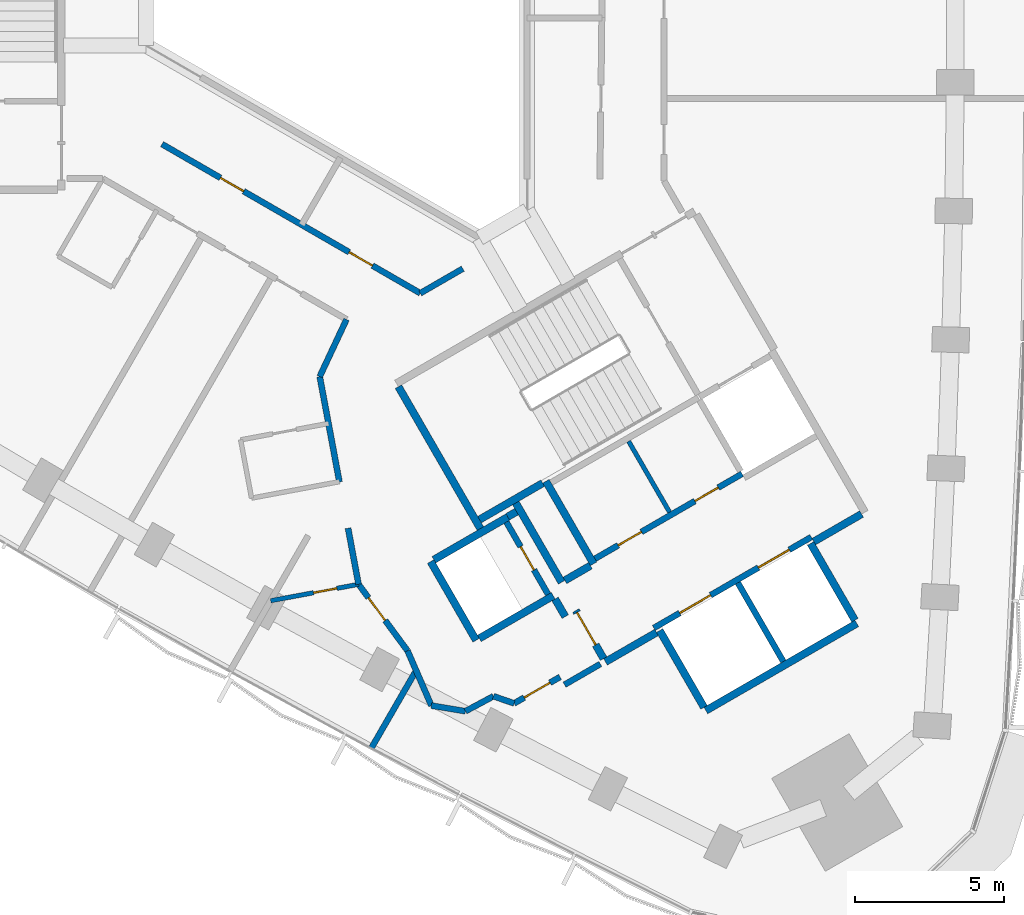
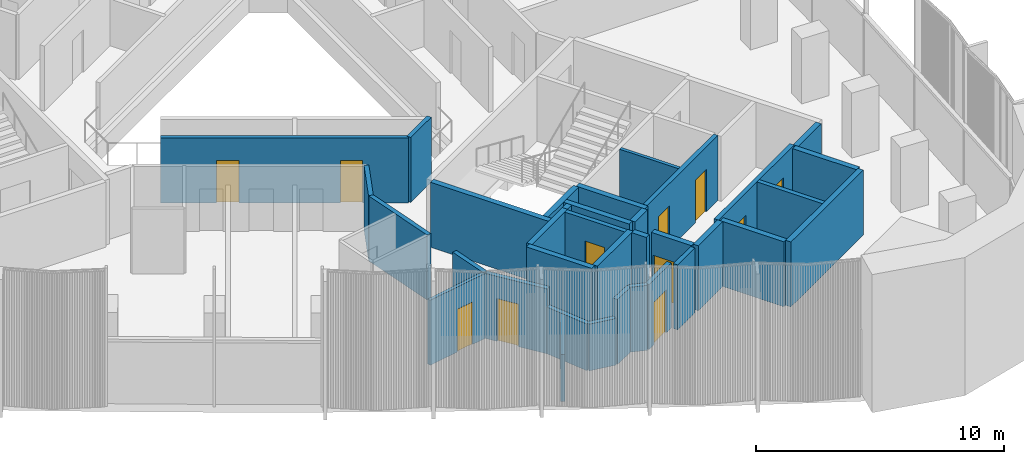
# One storey, part 8 of 14: 35 walls, 11 doors, 11 openings.
"""IFC4 building model written with IfcOpenShell, lengths in metres."""

from ifc_helpers import new_model, si_unit, direction, frame, frame_2d, origin, place, context, subcontext, project, spatial, rectangle, extrude, material, layer, layer_set, type_object, element, fill, save


model = new_model("IFC4")

# Units and contexts
model_context = context("Model", 3, precision=1e-05, world=origin(), true_north=direction((0.0, 1.0)))
body_context = subcontext(model_context, "Body", "Model", "MODEL_VIEW")
ifc_project = project(units=[si_unit("LENGTHUNIT", "METRE"), si_unit("AREAUNIT", "SQUARE_METRE"), si_unit("VOLUMEUNIT", "CUBIC_METRE"), si_unit("PLANEANGLEUNIT", "RADIAN"), si_unit("MASSUNIT", "GRAM", prefix="KILO")], contexts=[model_context])

# Site, building, storey
site_placement = place(None, origin())
site = spatial("IfcSite", under=ifc_project, at=site_placement, CompositionType="ELEMENT")
building_placement = place(site_placement, origin())
building = spatial("IfcBuilding", under=site, at=building_placement, Name="Tamra Quay Hotel Tower", CompositionType="ELEMENT")
storey_placement = place(building_placement, frame((0.0, 0.0, 139.60009765625)))
storey = spatial("IfcBuildingStorey", under=building, at=storey_placement, Name="L34", CompositionType="ELEMENT", Elevation=139.60009765625)

# Wall, openings, doors
ifc_material_1 = material(Name="Concrete M70", Category="concrete")
ifc_layer_1 = layer(ifc_material_1, 0.199951171875)
ifc_layer_set_1 = layer_set([ifc_layer_1], Name="Concrete M70 core wall 200")
wall_type_1 = type_object("IfcWallType", Name="Concrete M70 core wall 200", PredefinedType="SHEAR", material=ifc_layer_set_1)
wall_1_placement = place(storey_placement, frame((9.052490234375, -20.479736328125, 0.0), z_axis=(0.0, 0.0, 1.0), x_axis=(0.866030299012, 0.499991521122, 0.0)))
wall_1 = element("IfcWall", 1, at=wall_1_placement, inside=storey, type_object=wall_type_1, Name="CW2", PredefinedType="SHEAR", context=body_context, shape_type="SweptSolid", body=[
    extrude(rectangle(XDim=6.10009765625, YDim=0.199951171875, at=frame_2d((3.050048828125, 0.0))), origin(), (0.0, 0.0, 1.0), 3.199951171875),
])
opening_1_placement = place(wall_1_placement, frame((1.0, 0.0, 0.0)))
opening_1 = element("IfcOpeningElement", 2, at=opening_1_placement, cuts=wall_1, Name="Opening LD", PredefinedType="OPENING", context=body_context, shape_type="SweptSolid", body=[
    extrude(rectangle(XDim=1.199951171875, YDim=2.10009765625, at=frame_2d((0.60009765625, 1.050048828125))), frame((0.0, 0.10986328125, 0.0), z_axis=(0.0, -1.0, 0.0), x_axis=(1.0, 0.0, 0.0)), (0.0, 0.0, 1.0), 0.219970703125),
])
opening_2_placement = place(wall_1_placement, frame((4.05029296875, 0.0, 0.0)))
opening_2 = element("IfcOpeningElement", 3, at=opening_2_placement, cuts=wall_1, Name="Opening LD", PredefinedType="OPENING", context=body_context, shape_type="SweptSolid", body=[
    extrude(rectangle(XDim=1.199951171875, YDim=2.10009765625, at=frame_2d((0.60009765625, 1.050048828125))), frame((0.0, 0.10986328125, 0.0), z_axis=(0.0, -1.0, 0.0), x_axis=(1.0, 0.0, 0.0)), (0.0, 0.0, 1.0), 0.219970703125),
])
ifc_material_2 = material(Name="Landing door LD 1200 double door sliding")
door_type_1 = type_object("IfcDoorType", Name="Landing door LD 1200 double door sliding", OperationType="DOUBLE_DOOR_SLIDING", PredefinedType="DOOR", material=ifc_material_2)
door_1_placement = place(opening_1_placement, origin())
door_1 = element("IfcDoor", 4, at=door_1_placement, inside=storey, type_object=door_type_1, Name="LD", OperationType="DOUBLE_DOOR_SLIDING", OverallHeight=2.10009765625, OverallWidth=1.199951171875, PredefinedType="DOOR", context=body_context, shape_type="SweptSolid", body=[
    extrude(rectangle(XDim=1.199951171875, YDim=2.10009765625, at=frame_2d((0.60009765625, 1.050048828125))), frame((0.0, 0.02490234375, 0.0), z_axis=(0.0, -1.0, 0.0), x_axis=(1.0, 0.0, 0.0)), (0.0, 0.0, 1.0), 0.050048828125),
])
fill(opening_1, door_1)
door_2_placement = place(opening_2_placement, origin())
door_2 = element("IfcDoor", 5, at=door_2_placement, inside=storey, type_object=door_type_1, Name="LD", OperationType="DOUBLE_DOOR_SLIDING", OverallHeight=2.10009765625, OverallWidth=1.199951171875, PredefinedType="DOOR", context=body_context, shape_type="SweptSolid", body=[
    extrude(rectangle(XDim=1.199951171875, YDim=2.10009765625, at=frame_2d((0.60009765625, 1.050048828125))), frame((0.0, 0.02490234375, 0.0), z_axis=(0.0, -1.0, 0.0), x_axis=(1.0, 0.0, 0.0)), (0.0, 0.0, 1.0), 0.050048828125),
])
fill(opening_2, door_2)

wall_2_placement = place(storey_placement, frame((7.0771484375, -18.156005859375, 0.0), z_axis=(0.0, 0.0, 1.0), x_axis=(0.866038630372, 0.499977090179, 0.0)))
wall_2 = element("IfcWall", 6, at=wall_2_placement, inside=storey, type_object=wall_type_1, Name="CW2", PredefinedType="SHEAR", context=body_context, shape_type="SweptSolid", body=[
    extrude(rectangle(XDim=5.698974609375, YDim=0.199951171875, at=frame_2d((2.849609375, 0.0))), origin(), (0.0, 0.0, 1.0), 3.199951171875),
])
opening_3_placement = place(wall_2_placement, frame((0.89892578125, 0.0, 0.0)))
opening_3 = element("IfcOpeningElement", 7, at=opening_3_placement, cuts=wall_2, Name="Opening D2", PredefinedType="OPENING", context=body_context, shape_type="SweptSolid", body=[
    extrude(rectangle(XDim=0.89990234375, YDim=2.10009765625, at=frame_2d((0.449951171875, 1.050048828125))), frame((0.0, 0.10986328125, 0.0), z_axis=(0.0, -1.0, 0.0), x_axis=(1.0, 0.0, 0.0)), (0.0, 0.0, 1.0), 0.219970703125),
])
opening_4_placement = place(wall_2_placement, frame((3.8740234375, 0.0, 0.0)))
opening_4 = element("IfcOpeningElement", 8, at=opening_4_placement, cuts=wall_2, Name="Opening D2", PredefinedType="OPENING", context=body_context, shape_type="SweptSolid", body=[
    extrude(rectangle(XDim=0.89990234375, YDim=2.10009765625, at=frame_2d((0.449951171875, 1.050048828125))), frame((0.0, 0.10986328125, 0.0), z_axis=(0.0, -1.0, 0.0), x_axis=(1.0, 0.0, 0.0)), (0.0, 0.0, 1.0), 0.219970703125),
])
ifc_material_3 = material(Name="Core door D2 900x2100 LH")
door_type_2 = type_object("IfcDoorType", Name="Core door D2 900x2100 LH", OperationType="NOTDEFINED", PredefinedType="DOOR", material=ifc_material_3)
door_3_placement = place(opening_4_placement, origin())
door_3 = element("IfcDoor", 9, at=door_3_placement, inside=storey, type_object=door_type_2, Name="D2", OperationType="SINGLE_SWING_LEFT", OverallHeight=2.10009765625, OverallWidth=0.89990234375, PredefinedType="DOOR", context=body_context, shape_type="SweptSolid", body=[
    extrude(rectangle(XDim=0.89990234375, YDim=2.10009765625, at=frame_2d((0.449951171875, 1.050048828125))), frame((0.0, 0.02490234375, 0.0), z_axis=(0.0, -1.0, 0.0), x_axis=(1.0, 0.0, 0.0)), (0.0, 0.0, 1.0), 0.050048828125),
])
fill(opening_4, door_3)
ifc_material_4 = material(Name="Core door D2 900x2100 RH")
door_type_3 = type_object("IfcDoorType", Name="Core door D2 900x2100 RH", OperationType="NOTDEFINED", PredefinedType="DOOR", material=ifc_material_4)
door_4_placement = place(opening_3_placement, origin())
door_4 = element("IfcDoor", 10, at=door_4_placement, inside=storey, type_object=door_type_3, Name="D2", OperationType="SINGLE_SWING_RIGHT", OverallHeight=2.10009765625, OverallWidth=0.89990234375, PredefinedType="DOOR", context=body_context, shape_type="SweptSolid", body=[
    extrude(rectangle(XDim=0.89990234375, YDim=2.10009765625, at=frame_2d((0.449951171875, 1.050048828125))), frame((0.0, 0.02490234375, 0.0), z_axis=(0.0, -1.0, 0.0), x_axis=(1.0, 0.0, 0.0)), (0.0, 0.0, 1.0), 0.050048828125),
])
fill(opening_3, door_4)

# Wall
wall_3_placement = place(storey_placement, frame((11.87451171875, -18.967041015625, 0.0), z_axis=(0.0, 0.0, 1.0), x_axis=(0.49998131003, -0.866036194175, 0.0)))
element("IfcWall", 11, at=wall_3_placement, inside=storey, type_object=wall_type_1, Name="CW2", PredefinedType="SHEAR", context=body_context, shape_type="SweptSolid", body=[
    extrude(rectangle(XDim=3.0478515625, YDim=0.199951171875, at=frame_2d((1.52392578125, 0.0))), origin(), (0.0, 0.0, 1.0), 3.199951171875),
])

# Wall, opening, door
wall_4_placement = place(storey_placement, frame((5.50341796875, -19.352294921875, 0.0), z_axis=(0.0, 0.0, 1.0), x_axis=(-0.499986818241, 0.866033014143, 0.0)))
wall_4 = element("IfcWall", 12, at=wall_4_placement, inside=storey, type_object=wall_type_1, Name="CW2", PredefinedType="SHEAR", context=body_context, shape_type="SweptSolid", body=[
    extrude(rectangle(XDim=2.7978515625, YDim=0.199951171875, at=frame_2d((1.39892578125, 0.0))), origin(), (0.0, 0.0, 1.0), 3.199951171875),
])
opening_5_placement = place(wall_4_placement, frame((0.948974609375, 0.0, 0.0)))
opening_5 = element("IfcOpeningElement", 13, at=opening_5_placement, cuts=wall_4, Name="Opening D1", PredefinedType="OPENING", context=body_context, shape_type="SweptSolid", body=[
    extrude(rectangle(XDim=0.89990234375, YDim=2.10009765625, at=frame_2d((0.449951171875, 1.050048828125))), frame((0.0, 0.10986328125, 0.0), z_axis=(0.0, -1.0, 0.0), x_axis=(1.0, 0.0, 0.0)), (0.0, 0.0, 1.0), 0.219970703125),
])
ifc_material_5 = material(Name="Core door D1 900x2100 RH")
door_type_4 = type_object("IfcDoorType", Name="Core door D1 900x2100 RH", OperationType="NOTDEFINED", PredefinedType="DOOR", material=ifc_material_5)
door_5_placement = place(opening_5_placement, origin())
door_5 = element("IfcDoor", 14, at=door_5_placement, inside=storey, type_object=door_type_4, Name="D1", OperationType="SINGLE_SWING_RIGHT", OverallHeight=2.10009765625, OverallWidth=0.89990234375, PredefinedType="DOOR", context=body_context, shape_type="SweptSolid", body=[
    extrude(rectangle(XDim=0.89990234375, YDim=2.10009765625, at=frame_2d((0.449951171875, 1.050048828125))), frame((0.0, 0.02490234375, 0.0), z_axis=(0.0, -1.0, 0.0), x_axis=(1.0, 0.0, 0.0)), (0.0, 0.0, 1.0), 0.050048828125),
])
fill(opening_5, door_5)

# Walls
ifc_layer_2 = layer(ifc_material_1, 0.25)
ifc_layer_set_2 = layer_set([ifc_layer_2], Name="Concrete M70 core wall 250")
wall_type_2 = type_object("IfcWallType", Name="Concrete M70 core wall 250", PredefinedType="SHEAR", material=ifc_layer_set_2)
wall_5_placement = place(storey_placement, frame((15.86474609375, -20.328369140625, 0.0), z_axis=(0.0, 0.0, 1.0), x_axis=(-0.86602852612, -0.499994591916, 0.0)))
element("IfcWall", 15, at=wall_5_placement, inside=storey, type_object=wall_type_2, Name="CW1", PredefinedType="SHEAR", context=body_context, shape_type="SweptSolid", body=[
    extrude(rectangle(XDim=5.85009765625, YDim=0.25, at=frame_2d((2.925048828125, 0.0))), origin(), (0.0, 0.0, 1.0), 3.199951171875),
])
wall_6_placement = place(storey_placement, frame((3.23486328125, -17.15283203125, 0.0), z_axis=(0.0, 0.0, 1.0), x_axis=(-0.500008851346, 0.866020293397, 0.0)))
element("IfcWall", 16, at=wall_6_placement, inside=storey, type_object=wall_type_2, Name="CW1", PredefinedType="SHEAR", context=body_context, shape_type="SweptSolid", body=[
    extrude(rectangle(XDim=5.509765625, YDim=0.25, at=frame_2d((2.7548828125, 0.0))), origin(), (0.0, 0.0, 1.0), 3.199951171875),
])
wall_7_placement = place(storey_placement, frame((7.030517578125, -18.327392578125, 0.0), z_axis=(0.0, 0.0, 1.0), x_axis=(-0.499971222258, 0.866042017984, 0.0)))
element("IfcWall", 17, at=wall_7_placement, inside=storey, type_object=wall_type_2, Name="CW1", PredefinedType="SHEAR", context=body_context, shape_type="SweptSolid", body=[
    extrude(rectangle(XDim=3.199951171875, YDim=0.25, at=frame_2d((1.60009765625, 0.0))), origin(), (0.0, 0.0, 1.0), 3.199951171875),
])
for number, where, z_axis, x_axis, name in (
    (18, (14.314697265625, -17.643798828125, 0.0), (0.0, 0.0, 1.0), (0.500023226632, -0.866011993467, 0.0), "CW1"),
    (19, (10.73583984375, -23.144775390625, 0.0), (0.0, 0.0, 1.0), (-0.500023226632, 0.866011993467, 0.0), "CW1"),
):
    element("IfcWall", number, at=place(storey_placement, frame(where, z_axis=z_axis, x_axis=x_axis)), inside=storey, type_object=wall_type_2, Name=name, PredefinedType="SHEAR", context=body_context, shape_type="SweptSolid", body=[
        extrude(rectangle(XDim=2.974365234375, YDim=0.25, at=frame_2d((1.4873046875, 0.0))), origin(), (0.0, 0.0, 1.0), 3.199951171875),
    ])
wall_8_placement = place(storey_placement, frame((3.085205078125, -20.893798828125, 0.0), z_axis=(0.0, 0.0, 1.0), x_axis=(-0.499978833458, 0.866037623948, 0.0)))
element("IfcWall", 20, at=wall_8_placement, inside=storey, type_object=wall_type_2, Name="CW1", PredefinedType="SHEAR", context=body_context, shape_type="SweptSolid", body=[
    extrude(rectangle(XDim=3.050048828125, YDim=0.25, at=frame_2d((1.52490234375, 0.0))), origin(), (0.0, 0.0, 1.0), 3.199951171875),
])
wall_9_placement = place(storey_placement, frame((1.6689453125, -18.189697265625, 0.0), z_axis=(0.0, 0.0, 1.0), x_axis=(0.866042235819, 0.499970844928, 0.0)))
element("IfcWall", 21, at=wall_9_placement, inside=storey, type_object=wall_type_2, Name="CW1", PredefinedType="SHEAR", context=body_context, shape_type="SweptSolid", body=[
    extrude(rectangle(XDim=2.864501953125, YDim=0.25, at=frame_2d((1.43212890625, 0.0))), origin(), (0.0, 0.0, 1.0), 3.199951171875),
])
wall_10_placement = place(storey_placement, frame((5.6748046875, -19.39892578125, 0.0), z_axis=(0.0, 0.0, 1.0), x_axis=(-0.866026637627, -0.499997862916, 0.0)))
element("IfcWall", 22, at=wall_10_placement, inside=storey, type_object=wall_type_2, Name="CW1", PredefinedType="SHEAR", context=body_context, shape_type="SweptSolid", body=[
    extrude(rectangle(XDim=2.86474609375, YDim=0.25, at=frame_2d((1.432373046875, 0.0))), origin(), (0.0, 0.0, 1.0), 3.199951171875),
])
wall_11_placement = place(storey_placement, frame((4.414306640625, -16.275634765625, 0.0), z_axis=(0.0, 0.0, 1.0), x_axis=(0.500003324108, -0.866023484601, 0.0)))
element("IfcWall", 23, at=wall_11_placement, inside=storey, type_object=wall_type_2, Name="CW1", PredefinedType="SHEAR", context=body_context, shape_type="SweptSolid", body=[
    extrude(rectangle(XDim=3.0849609375, YDim=0.25, at=frame_2d((1.54248046875, 0.0))), origin(), (0.0, 0.0, 1.0), 3.199951171875),
])
wall_12_placement = place(storey_placement, frame((5.322021484375, -15.618896484375, 0.0), z_axis=(0.0, 0.0, 1.0), x_axis=(-0.866026229868, -0.499998569178, 0.0)))
element("IfcWall", 24, at=wall_12_placement, inside=storey, type_object=wall_type_2, Name="CW1", PredefinedType="SHEAR", context=body_context, shape_type="SweptSolid", body=[
    extrude(rectangle(XDim=2.44921875, YDim=0.25, at=frame_2d((1.224609375, 0.0))), origin(), (0.0, 0.0, 1.0), 3.199951171875),
])
wall_13_placement = place(storey_placement, frame((9.139892578125, -20.63134765625, 0.0), z_axis=(0.0, 0.0, 1.0), x_axis=(-0.866043531843, -0.499968599967, 0.0)))
element("IfcWall", 25, at=wall_13_placement, inside=storey, type_object=wall_type_2, Name="CW1", PredefinedType="SHEAR", context=body_context, shape_type="SweptSolid", body=[
    extrude(rectangle(XDim=1.974853515625, YDim=0.25, at=frame_2d((0.9873046875, 0.0))), origin(), (0.0, 0.0, 1.0), 3.199951171875),
])
wall_14_placement = place(storey_placement, frame((16.024658203125, -16.656494140625, 0.0), z_axis=(0.0, 0.0, 1.0), x_axis=(-0.866016279763, -0.500015802937, 0.0)))
element("IfcWall", 26, at=wall_14_placement, inside=storey, type_object=wall_type_2, Name="CW1", PredefinedType="SHEAR", context=body_context, shape_type="SweptSolid", body=[
    extrude(rectangle(XDim=1.84912109375, YDim=0.25, at=frame_2d((0.924560546875, 0.0))), origin(), (0.0, 0.0, 1.0), 3.199951171875),
])

# Wall, opening, door
wall_15_placement = place(storey_placement, frame((7.3671875, -21.51025390625, 0.0), z_axis=(0.0, 0.0, 1.0), x_axis=(-0.499983108224, 0.866035156036, 0.0)))
wall_15 = element("IfcWall", 27, at=wall_15_placement, inside=storey, type_object=wall_type_2, Name="CW1", PredefinedType="SHEAR", context=body_context, shape_type="SweptSolid", body=[
    extrude(rectangle(XDim=1.86474609375, YDim=0.25, at=frame_2d((0.932373046875, 0.0))), origin(), (0.0, 0.0, 1.0), 3.199951171875),
])
opening_6_placement = place(wall_15_placement, frame((0.53466796875, 0.0, 0.0)))
opening_6 = element("IfcOpeningElement", 28, at=opening_6_placement, cuts=wall_15, Name="Opening FD3", PredefinedType="OPENING", context=body_context, shape_type="SweptSolid", body=[
    extrude(rectangle(XDim=1.25, YDim=2.10009765625, at=frame_2d((0.625, 1.050048828125))), frame((0.0, 0.135009765625, 0.0), z_axis=(0.0, -1.0, 0.0), x_axis=(1.0, 0.0, 0.0)), (0.0, 0.0, 1.0), 0.27001953125),
])
ifc_material_6 = material(Name="Core door FD3 1250x2100 LH")
door_type_5 = type_object("IfcDoorType", Name="Core door FD3 1250x2100 LH", OperationType="NOTDEFINED", PredefinedType="DOOR", material=ifc_material_6)
door_6_placement = place(opening_6_placement, origin())
door_6 = element("IfcDoor", 29, at=door_6_placement, inside=storey, type_object=door_type_5, Name="FD3", OperationType="SINGLE_SWING_LEFT", OverallHeight=2.10009765625, OverallWidth=1.25, PredefinedType="DOOR", context=body_context, shape_type="SweptSolid", body=[
    extrude(rectangle(XDim=1.25, YDim=2.10009765625, at=frame_2d((0.625, 1.050048828125))), frame((0.0, 0.02490234375, 0.0), z_axis=(0.0, -1.0, 0.0), x_axis=(1.0, 0.0, 0.0)), (0.0, 0.0, 1.0), 0.050048828125),
])
fill(opening_6, door_6)

# Walls
wall_16_placement = place(storey_placement, frame((6.0654296875, -18.884765625, 0.0), z_axis=(0.0, 0.0, 1.0), x_axis=(0.866017078145, 0.500014420154, 0.0)))
element("IfcWall", 30, at=wall_16_placement, inside=storey, type_object=wall_type_2, Name="CW1", PredefinedType="SHEAR", context=body_context, shape_type="SweptSolid", body=[
    extrude(rectangle(XDim=0.9892578125, YDim=0.25, at=frame_2d((0.49462890625, 0.0))), origin(), (0.0, 0.0, 1.0), 3.199951171875),
])
wall_17_placement = place(storey_placement, frame((6.07958984375, -20.100341796875, 0.0), z_axis=(0.0, 0.0, 1.0), x_axis=(-0.500051773299, 0.865995510393, 0.0)))
element("IfcWall", 31, at=wall_17_placement, inside=storey, type_object=wall_type_2, Name="CW1", PredefinedType="SHEAR", context=body_context, shape_type="SweptSolid", body=[
    extrude(rectangle(XDim=0.6845703125, YDim=0.25, at=frame_2d((0.34228515625, 0.0))), origin(), (0.0, 0.0, 1.0), 3.199951171875),
])
wall_18_placement = place(storey_placement, frame((4.144775390625, -16.748779296875, 0.0), z_axis=(0.0, 0.0, 1.0), x_axis=(0.866185586049, 0.49972245349, 0.0)))
element("IfcWall", 32, at=wall_18_placement, inside=storey, type_object=wall_type_2, Name="CW1", PredefinedType="SHEAR", context=body_context, shape_type="SweptSolid", body=[
    extrude(rectangle(XDim=0.344482421875, YDim=0.25, at=frame_2d((0.17236328125, 0.0))), origin(), (0.0, 0.0, 1.0), 3.199951171875),
])
ifc_material_7 = material(Name="Blockwork", Category="masonry")
ifc_layer_3 = layer(ifc_material_7, 0.14990234375)
ifc_layer_set_3 = layer_set([ifc_layer_3], Name="Core partition block 150")
wall_type_3 = type_object("IfcWallType", Name="Core partition block 150", PredefinedType="PARTITIONING", material=ifc_layer_set_3)
wall_19_placement = place(storey_placement, frame((8.20654296875, -14.214111328125, 0.0), z_axis=(0.0, 0.0, 1.0), x_axis=(0.50002746344, -0.86600954718, 0.0)))
element("IfcWall", 33, at=wall_19_placement, inside=storey, type_object=wall_type_3, Name="CP1", PredefinedType="PARTITIONING", context=body_context, shape_type="SweptSolid", body=[
    extrude(rectangle(XDim=2.748291015625, YDim=0.14990234375, at=frame_2d((1.3740234375, 0.0))), origin(), (0.0, 0.0, 1.0), 3.199951171875),
])

# Wall, openings, doors
ifc_material_8 = material(Name="Partition corridor wall")
ifc_layer_4 = layer(ifc_material_8, 0.199951171875)
ifc_layer_set_4 = layer_set([ifc_layer_4], Name="Partition corridor wall")
wall_type_4 = type_object("IfcWallType", Name="Partition corridor wall", PredefinedType="PARTITIONING", material=ifc_layer_set_4)
wall_20_placement = place(storey_placement, frame((-7.455078125, -4.239990234375, 0.0), z_axis=(0.0, 0.0, 1.0), x_axis=(0.866015783746, -0.500016662025, 0.0)))
wall_20 = element("IfcWall", 34, at=wall_20_placement, inside=storey, type_object=wall_type_4, Name="W-C", PredefinedType="PARTITIONING", context=body_context, shape_type="SweptSolid", body=[
    extrude(rectangle(XDim=10.008544921875, YDim=0.199951171875, at=frame_2d((5.00439453125, 0.0))), origin(), (0.0, 0.0, 1.0), 3.199951171875),
])
opening_7_placement = place(wall_20_placement, frame((2.261962890625, 0.0, 0.0)))
opening_7 = element("IfcOpeningElement", 35, at=opening_7_placement, cuts=wall_20, Name="Opening L34-D022", PredefinedType="OPENING", context=body_context, shape_type="SweptSolid", body=[
    extrude(rectangle(XDim=0.89990234375, YDim=2.10009765625, at=frame_2d((0.449951171875, 1.050048828125))), frame((0.0, 0.10986328125, 0.0), z_axis=(0.0, -1.0, 0.0), x_axis=(1.0, 0.0, 0.0)), (0.0, 0.0, 1.0), 0.219970703125),
])
opening_8_placement = place(wall_20_placement, frame((7.254150390625, 0.0, 0.0)))
opening_8 = element("IfcOpeningElement", 36, at=opening_8_placement, cuts=wall_20, Name="Opening L34-D023", PredefinedType="OPENING", context=body_context, shape_type="SweptSolid", body=[
    extrude(rectangle(XDim=0.89990234375, YDim=2.10009765625, at=frame_2d((0.449951171875, 1.050048828125))), frame((0.0, 0.10986328125, 0.0), z_axis=(0.0, -1.0, 0.0), x_axis=(1.0, 0.0, 0.0)), (0.0, 0.0, 1.0), 0.219970703125),
])
ifc_material_9 = material(Name="Door service room 900x2100")
door_type_6 = type_object("IfcDoorType", Name="Door service room 900x2100", OperationType="NOTDEFINED", PredefinedType="DOOR", material=ifc_material_9)
door_7_placement = place(opening_7_placement, origin())
door_7 = element("IfcDoor", 37, at=door_7_placement, inside=storey, type_object=door_type_6, Name="L34-D022", OperationType="SINGLE_SWING_LEFT", OverallHeight=2.10009765625, OverallWidth=0.89990234375, PredefinedType="DOOR", context=body_context, shape_type="SweptSolid", body=[
    extrude(rectangle(XDim=0.89990234375, YDim=2.10009765625, at=frame_2d((0.449951171875, 1.050048828125))), frame((0.0, 0.02490234375, 0.0), z_axis=(0.0, -1.0, 0.0), x_axis=(1.0, 0.0, 0.0)), (0.0, 0.0, 1.0), 0.050048828125),
])
fill(opening_7, door_7)
door_8_placement = place(opening_8_placement, origin())
door_8 = element("IfcDoor", 38, at=door_8_placement, inside=storey, type_object=door_type_6, Name="L34-D023", OperationType="SINGLE_SWING_LEFT", OverallHeight=2.10009765625, OverallWidth=0.89990234375, PredefinedType="DOOR", context=body_context, shape_type="SweptSolid", body=[
    extrude(rectangle(XDim=0.89990234375, YDim=2.10009765625, at=frame_2d((0.449951171875, 1.050048828125))), frame((0.0, 0.02490234375, 0.0), z_axis=(0.0, -1.0, 0.0), x_axis=(1.0, 0.0, 0.0)), (0.0, 0.0, 1.0), 0.050048828125),
])
fill(opening_8, door_8)

# Walls
wall_21_placement = place(storey_placement, frame((-2.162109375, -12.0419921875, 0.0), z_axis=(0.0, 0.0, 1.0), x_axis=(0.183572226488, -0.983006224631, 0.0)))
element("IfcWall", 39, at=wall_21_placement, inside=storey, type_object=wall_type_4, Name="W-C", PredefinedType="PARTITIONING", context=body_context, shape_type="SweptSolid", body=[
    extrude(rectangle(XDim=3.6015625, YDim=0.199951171875, at=frame_2d((1.80078125, 0.0))), origin(), (0.0, 0.0, 1.0), 3.199951171875),
])
wall_22_placement = place(storey_placement, frame((-2.162109375, -12.041015625, 0.0), z_axis=(0.0, 0.0, 1.0), x_axis=(0.424280226728, 0.905530943264, 0.0)))
element("IfcWall", 40, at=wall_22_placement, inside=storey, type_object=wall_type_4, Name="W-C", PredefinedType="PARTITIONING", context=body_context, shape_type="SweptSolid", body=[
    extrude(rectangle(XDim=2.116943359375, YDim=0.199951171875, at=frame_2d((1.05859375, 0.0))), origin(), (0.0, 0.0, 1.0), 3.199951171875),
])
wall_23_placement = place(storey_placement, frame((-1.211669921875, -17.13134765625, 0.0), z_axis=(0.0, 0.0, 1.0), x_axis=(0.183680924698, -0.982985919483, 0.0)))
element("IfcWall", 41, at=wall_23_placement, inside=storey, type_object=wall_type_4, Name="W-C", PredefinedType="PARTITIONING", context=body_context, shape_type="SweptSolid", body=[
    extrude(rectangle(XDim=1.916748046875, YDim=0.199951171875, at=frame_2d((0.95849609375, 0.0))), origin(), (0.0, 0.0, 1.0), 3.199951171875),
])

# Wall, opening, door
wall_24_placement = place(storey_placement, frame((-0.85791015625, -19.01611328125, 0.0), z_axis=(0.0, 0.0, 1.0), x_axis=(0.593123867414, -0.805111220829, 0.0)))
wall_24 = element("IfcWall", 42, at=wall_24_placement, inside=storey, type_object=wall_type_4, Name="W-C", PredefinedType="PARTITIONING", context=body_context, shape_type="SweptSolid", body=[
    extrude(rectangle(XDim=2.769775390625, YDim=0.199951171875, at=frame_2d((1.384765625, 0.0))), origin(), (0.0, 0.0, 1.0), 3.199951171875),
])
opening_9_placement = place(wall_24_placement, frame((0.554931640625, 0.0, 0.0)))
opening_9 = element("IfcOpeningElement", 43, at=opening_9_placement, cuts=wall_24, Name="Opening L34-D015", PredefinedType="OPENING", context=body_context, shape_type="SweptSolid", body=[
    extrude(rectangle(XDim=0.949951171875, YDim=2.10009765625, at=frame_2d((0.47509765625, 1.050048828125))), frame((0.0, 0.10986328125, 0.0), z_axis=(0.0, -1.0, 0.0), x_axis=(1.0, 0.0, 0.0)), (0.0, 0.0, 1.0), 0.219970703125),
])
ifc_material_10 = material(Name="Door guest room 950x2100")
door_type_7 = type_object("IfcDoorType", Name="Door guest room 950x2100", OperationType="NOTDEFINED", PredefinedType="DOOR", material=ifc_material_10)
door_9_placement = place(opening_9_placement, frame((0.949951171875, 0.0, 0.0), z_axis=(0.0, 0.0, 1.0), x_axis=(-1.0, 0.0, 0.0)))
door_9 = element("IfcDoor", 44, at=door_9_placement, inside=storey, type_object=door_type_7, Name="L34-D015", OperationType="SINGLE_SWING_LEFT", OverallHeight=2.10009765625, OverallWidth=0.949951171875, PredefinedType="DOOR", context=body_context, shape_type="SweptSolid", body=[
    extrude(rectangle(XDim=0.949951171875, YDim=2.10009765625, at=frame_2d((0.47509765625, 1.050048828125))), frame((0.0, 0.02490234375, 0.0), z_axis=(0.0, -1.0, 0.0), x_axis=(1.0, 0.0, 0.0)), (0.0, 0.0, 1.0), 0.050048828125),
])
fill(opening_9, door_9)

# Walls
wall_25_placement = place(storey_placement, frame((0.784912109375, -21.24609375, 0.0), z_axis=(0.0, 0.0, 1.0), x_axis=(0.398864077761, -0.917010058545, 0.0)))
element("IfcWall", 45, at=wall_25_placement, inside=storey, type_object=wall_type_4, Name="W-C", PredefinedType="PARTITIONING", context=body_context, shape_type="SweptSolid", body=[
    extrude(rectangle(XDim=2.005859375, YDim=0.199951171875, at=frame_2d((1.0029296875, 0.0))), origin(), (0.0, 0.0, 1.0), 2.2998046875),
])
wall_26_placement = place(storey_placement, frame((1.2119140625, -9.2451171875, 0.0), z_axis=(0.0, 0.0, 1.0), x_axis=(0.86593636949, 0.500154180222, 0.0)))
element("IfcWall", 46, at=wall_26_placement, inside=storey, type_object=wall_type_4, Name="W-C", PredefinedType="PARTITIONING", context=body_context, shape_type="SweptSolid", body=[
    extrude(rectangle(XDim=1.64794921875, YDim=0.199951171875, at=frame_2d((0.823974609375, 0.0))), origin(), (0.0, 0.0, 1.0), 3.199951171875),
])
wall_27_placement = place(storey_placement, frame((1.583984375, -23.0859375, 0.0), z_axis=(0.0, 0.0, 1.0), x_axis=(0.986654221629, -0.162829502674, 0.0)))
element("IfcWall", 47, at=wall_27_placement, inside=storey, type_object=wall_type_4, Name="W-C", PredefinedType="PARTITIONING", context=body_context, shape_type="SweptSolid", body=[
    extrude(rectangle(XDim=1.160400390625, YDim=0.199951171875, at=frame_2d((0.580078125, 0.0))), origin(), (0.0, 0.0, 1.0), 2.2998046875),
])
wall_28_placement = place(storey_placement, frame((2.72998046875, -23.27490234375, 0.0), z_axis=(0.0, 0.0, 1.0), x_axis=(0.880927165636, 0.473251866182, 0.0)))
element("IfcWall", 48, at=wall_28_placement, inside=storey, type_object=wall_type_4, Name="W-C", PredefinedType="PARTITIONING", context=body_context, shape_type="SweptSolid", body=[
    extrude(rectangle(XDim=1.064697265625, YDim=0.199951171875, at=frame_2d((0.5322265625, 0.0))), origin(), (0.0, 0.0, 1.0), 3.199951171875),
])
wall_29_placement = place(storey_placement, frame((3.66796875, -22.77099609375, 0.0), z_axis=(0.0, 0.0, 1.0), x_axis=(0.944689393684, -0.327966384652, 0.0)))
element("IfcWall", 49, at=wall_29_placement, inside=storey, type_object=wall_type_4, Name="W-C", PredefinedType="PARTITIONING", context=body_context, shape_type="SweptSolid", body=[
    extrude(rectangle(XDim=0.734619140625, YDim=0.199951171875, at=frame_2d((0.3671875, 0.0))), origin(), (0.0, 0.0, 1.0), 3.199951171875),
])

# Wall, opening, door
wall_30_placement = place(storey_placement, frame((4.362060546875, -23.011962890625, 0.0), z_axis=(0.0, 0.0, 1.0), x_axis=(0.866692617793, 0.49884256661, 0.0)))
wall_30 = element("IfcWall", 50, at=wall_30_placement, inside=storey, type_object=wall_type_4, Name="W-C", PredefinedType="PARTITIONING", context=body_context, shape_type="SweptSolid", body=[
    extrude(rectangle(XDim=1.778076171875, YDim=0.199951171875, at=frame_2d((0.88916015625, 0.0))), origin(), (0.0, 0.0, 1.0), 3.199951171875),
])
opening_10_placement = place(wall_30_placement, frame((0.388916015625, 0.0, 0.0)))
opening_10 = element("IfcOpeningElement", 51, at=opening_10_placement, cuts=wall_30, Name="Opening L34-D017", PredefinedType="OPENING", context=body_context, shape_type="SweptSolid", body=[
    extrude(rectangle(XDim=1.0, YDim=2.10009765625, at=frame_2d((0.5, 1.050048828125))), frame((0.0, 0.10986328125, 0.0), z_axis=(0.0, -1.0, 0.0), x_axis=(1.0, 0.0, 0.0)), (0.0, 0.0, 1.0), 0.219970703125),
])
ifc_material_11 = material(Name="Door guest room 1000x2100")
door_type_8 = type_object("IfcDoorType", Name="Door guest room 1000x2100", OperationType="NOTDEFINED", PredefinedType="DOOR", material=ifc_material_11)
door_10_placement = place(opening_10_placement, frame((1.0, 0.0, 0.0), z_axis=(0.0, 0.0, 1.0), x_axis=(-1.0, 0.0, 0.0)))
door_10 = element("IfcDoor", 52, at=door_10_placement, inside=storey, type_object=door_type_8, Name="L34-D017", OperationType="SINGLE_SWING_LEFT", OverallHeight=2.10009765625, OverallWidth=1.0, PredefinedType="DOOR", context=body_context, shape_type="SweptSolid", body=[
    extrude(rectangle(XDim=1.0, YDim=2.10009765625, at=frame_2d((0.5, 1.050048828125))), frame((0.0, 0.02490234375, 0.0), z_axis=(0.0, -1.0, 0.0), x_axis=(1.0, 0.0, 0.0)), (0.0, 0.0, 1.0), 0.050048828125),
])
fill(opening_10, door_10)

# Wall
wall_31_placement = place(storey_placement, frame((6.053955078125, -22.385009765625, 0.0), z_axis=(0.0, 0.0, 1.0), x_axis=(0.86593101922, 0.500163443238, 0.0)))
element("IfcWall", 53, at=wall_31_placement, inside=storey, type_object=wall_type_4, Name="W-C", PredefinedType="PARTITIONING", context=body_context, shape_type="SweptSolid", body=[
    extrude(rectangle(XDim=1.3896484375, YDim=0.199951171875, at=frame_2d((0.69482421875, 0.0))), origin(), (0.0, 0.0, 1.0), 3.199951171875),
])

# Wall, opening, door
ifc_material_12 = material(Name="Partition en-suite wall")
ifc_layer_5 = layer(ifc_material_12, 0.14990234375)
ifc_layer_set_5 = layer_set([ifc_layer_5], Name="Partition en-suite wall")
wall_type_5 = type_object("IfcWallType", Name="Partition en-suite wall", PredefinedType="PARTITIONING", material=ifc_layer_set_5)
wall_32_placement = place(storey_placement, frame((-3.806884765625, -19.56591796875, 0.0), z_axis=(0.0, 0.0, 1.0), x_axis=(0.982987155193, 0.183674311555, 0.0)))
wall_32 = element("IfcWall", 54, at=wall_32_placement, inside=storey, type_object=wall_type_5, Name="W-E", PredefinedType="PARTITIONING", context=body_context, shape_type="SweptSolid", body=[
    extrude(rectangle(XDim=3.0, YDim=0.14990234375, at=frame_2d((1.5, 0.0))), origin(), (0.0, 0.0, 1.0), 3.199951171875),
])
opening_11_placement = place(wall_32_placement, frame((1.4599609375, 0.0, 0.0)))
opening_11 = element("IfcOpeningElement", 55, at=opening_11_placement, cuts=wall_32, Name="Opening L34-D016", PredefinedType="OPENING", context=body_context, shape_type="SweptSolid", body=[
    extrude(rectangle(XDim=0.800048828125, YDim=2.10009765625, at=frame_2d((0.39990234375, 1.050048828125))), frame((0.0, 0.0849609375, 0.0), z_axis=(0.0, -1.0, 0.0), x_axis=(1.0, 0.0, 0.0)), (0.0, 0.0, 1.0), 0.169921875),
])
ifc_material_13 = material(Name="Door en-suite 800x2100")
door_type_9 = type_object("IfcDoorType", Name="Door en-suite 800x2100", OperationType="NOTDEFINED", PredefinedType="DOOR", material=ifc_material_13)
door_11_placement = place(opening_11_placement, frame((0.800048828125, 0.0, 0.0), z_axis=(0.0, 0.0, 1.0), x_axis=(-1.0, 0.0, 0.0)))
door_11 = element("IfcDoor", 56, at=door_11_placement, inside=storey, type_object=door_type_9, Name="L34-D016", OperationType="SINGLE_SWING_LEFT", OverallHeight=2.10009765625, OverallWidth=0.800048828125, PredefinedType="DOOR", context=body_context, shape_type="SweptSolid", body=[
    extrude(rectangle(XDim=0.800048828125, YDim=2.10009765625, at=frame_2d((0.39990234375, 1.050048828125))), frame((0.0, 0.02490234375, 0.0), z_axis=(0.0, -1.0, 0.0), x_axis=(1.0, 0.0, 0.0)), (0.0, 0.0, 1.0), 0.050048828125),
])
fill(opening_11, door_11)

# Wall
ifc_material_14 = material(Name="Partition party wall")
ifc_layer_6 = layer(ifc_material_14, 0.199951171875)
ifc_layer_set_6 = layer_set([ifc_layer_6], Name="Partition party wall")
wall_type_6 = type_object("IfcWallType", Name="Partition party wall", PredefinedType="PARTITIONING", material=ifc_layer_set_6)
wall_33_placement = place(storey_placement, frame((-0.42529296875, -24.504638671875, 0.0), z_axis=(0.0, 0.0, 1.0), x_axis=(0.499915194772, 0.86607436057, 0.0)))
element("IfcWall", 57, at=wall_33_placement, inside=storey, type_object=wall_type_6, Name="W-P", PredefinedType="PARTITIONING", context=body_context, shape_type="SweptSolid", body=[
    extrude(rectangle(XDim=2.9970703125, YDim=0.199951171875, at=frame_2d((1.49853515625, 0.0))), origin(), (0.0, 0.0, 1.0), 2.2998046875),
])

save(model, "model.ifc")
